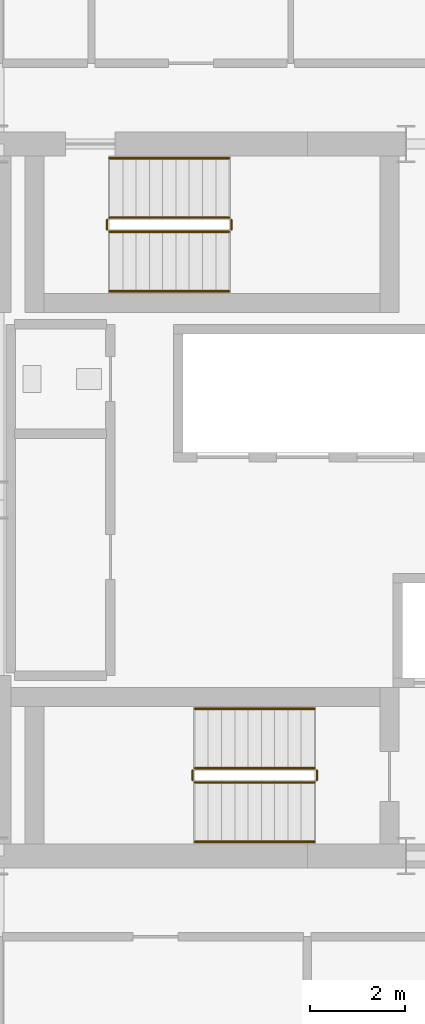
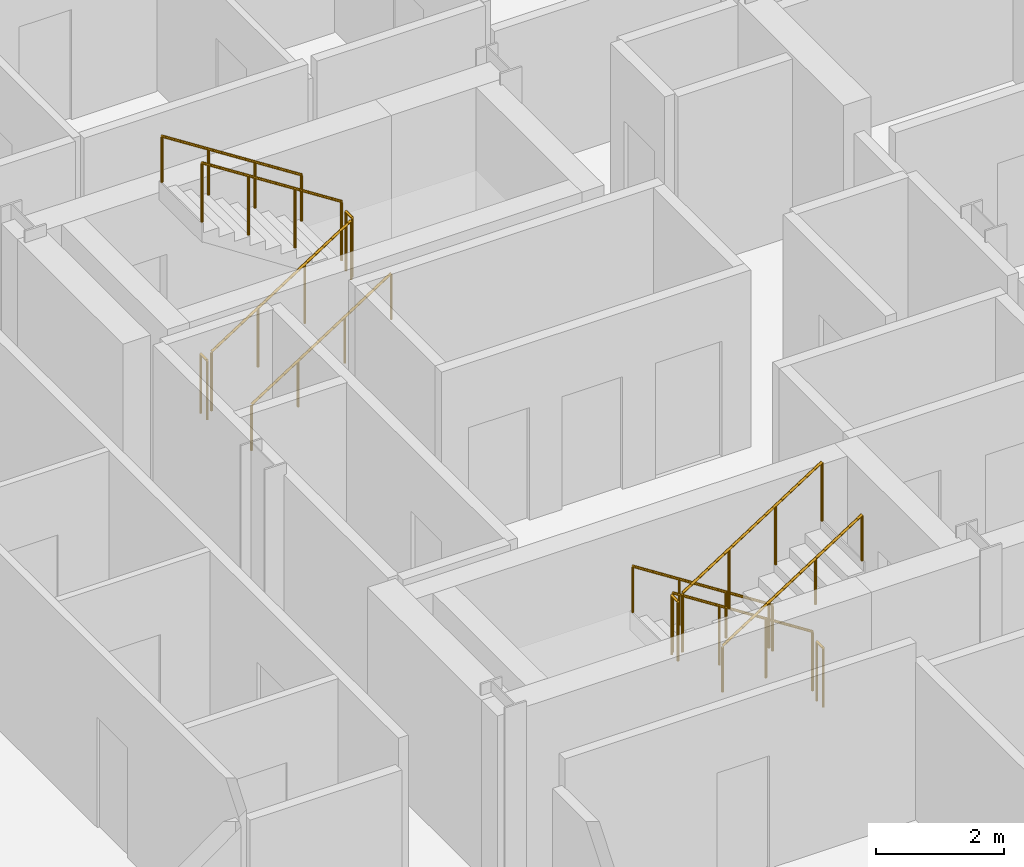
# One storey, part 20 of 21: 12 railings.
"""IFC4 building model written with IfcOpenShell, lengths in metres."""

from ifc_helpers import new_model, si_unit, direction, frame, origin, origin_2d, place, context, subcontext, project, spatial, circle, extrude, material, type_object, element, save


model = new_model("IFC4")

# Units and contexts
model_context = context("Model", 3, precision=1e-05, world=origin(), true_north=direction((0.0, 1.0)))
body_context = subcontext(model_context, "Body", "Model", "MODEL_VIEW")
ifc_project = project(units=[si_unit("LENGTHUNIT", "METRE"), si_unit("AREAUNIT", "SQUARE_METRE"), si_unit("VOLUMEUNIT", "CUBIC_METRE"), si_unit("PLANEANGLEUNIT", "RADIAN"), si_unit("MASSUNIT", "GRAM", prefix="KILO")], contexts=[model_context])

# Site, building, storey
site_placement = place(None, origin())
site = spatial("IfcSite", under=ifc_project, at=site_placement, CompositionType="ELEMENT")
building_placement = place(site_placement, origin())
building = spatial("IfcBuilding", under=site, at=building_placement, Name="Barlavira Tower and Art Museum", CompositionType="ELEMENT")
storey_placement = place(building_placement, frame((0.0, 0.0, 222.300048828125)))
storey = spatial("IfcBuildingStorey", under=building, at=storey_placement, Name="L57", CompositionType="ELEMENT", Elevation=222.300048828125)

# Railings
ifc_material = material(Name="Brushed stainless steel", Category="steel")
railing_type_1 = type_object("IfcRailingType", Name="Interior Void and Landing Guard Railing 1150", PredefinedType="GUARDRAIL", material=ifc_material)
railing_1_placement = place(storey_placement, frame((0.14990234375, -5.64990234375, 0.179931640625)))
element("IfcRailing", 1, at=railing_1_placement, inside=storey, type_object=railing_type_1, Name="L57 ST-T1 stair guard 1", PredefinedType="GUARDRAIL", context=body_context, shape_type="SweptSolid", body=[
    extrude(circle(Radius=0.02392578125, at=origin_2d()), frame((0.0, 0.0, 1.1259765625), z_axis=(-0.841162588446, 0.0, 0.540782303519), x_axis=(0.0, -1.0, 0.0)), (0.0, 0.0, 1.0), 2.995849609375),
    extrude(circle(Radius=0.02099609375, at=origin_2d()), origin(), (0.0, 0.0, 1.0), 1.101806640625),
    extrude(circle(Radius=0.02099609375, at=origin_2d()), frame((-0.840087890625, 0.0, 0.5400390625)), (0.0, 0.0, 1.0), 1.101806640625),
    extrude(circle(Radius=0.02099609375, at=origin_2d()), frame((-1.679931640625, 0.0, 1.080078125)), (0.0, 0.0, 1.0), 1.101806640625),
    extrude(circle(Radius=0.02099609375, at=origin_2d()), frame((-2.52001953125, 0.0, 1.6201171875)), (0.0, 0.0, 1.0), 1.101806640625),
])
railing_2_placement = place(storey_placement, frame((-2.419921875, -5.699951171875, 1.800048828125)))
element("IfcRailing", 2, at=railing_2_placement, inside=storey, type_object=railing_type_1, Name="L57 ST-T1 stair guard 2", PredefinedType="GUARDRAIL", context=body_context, shape_type="SweptSolid", body=[
    extrude(circle(Radius=0.02392578125, at=origin_2d()), frame((0.0, 0.0, 1.1259765625), z_axis=(0.0, -1.0, 0.0), x_axis=(1.0, 0.0, 0.0)), (0.0, 0.0, 1.0), 0.199951171875),
    extrude(circle(Radius=0.02099609375, at=origin_2d()), origin(), (0.0, 0.0, 1.0), 1.101806640625),
    extrude(circle(Radius=0.02099609375, at=origin_2d()), frame((0.0, -0.199951171875, 0.0)), (0.0, 0.0, 1.0), 1.101806640625),
])
railing_3_placement = place(storey_placement, frame((-2.3701171875, -5.949951171875, 1.97998046875)))
element("IfcRailing", 3, at=railing_3_placement, inside=storey, type_object=railing_type_1, Name="L57 ST-T1 stair guard 3", PredefinedType="GUARDRAIL", context=body_context, shape_type="SweptSolid", body=[
    extrude(circle(Radius=0.02392578125, at=origin_2d()), frame((0.0, 0.0, 1.1259765625), z_axis=(0.841199657755, 0.0, 0.540724639528), x_axis=(0.0, 1.0, 0.0)), (0.0, 0.0, 1.0), 2.995849609375),
    extrude(circle(Radius=0.02099609375, at=origin_2d()), origin(), (0.0, 0.0, 1.0), 1.101806640625),
    extrude(circle(Radius=0.02099609375, at=origin_2d()), frame((0.840087890625, 0.0, 0.5400390625)), (0.0, 0.0, 1.0), 1.101806640625),
    extrude(circle(Radius=0.02099609375, at=origin_2d()), frame((1.679931640625, 0.0, 1.079833984375)), (0.0, 0.0, 1.0), 1.101806640625),
    extrude(circle(Radius=0.02099609375, at=origin_2d()), frame((2.52001953125, 0.0, 1.619873046875)), (0.0, 0.0, 1.0), 1.101806640625),
])
railing_4_placement = place(storey_placement, frame((0.199951171875, -5.699951171875, 0.0)))
element("IfcRailing", 4, at=railing_4_placement, inside=storey, type_object=railing_type_1, Name="L57 ST-T1 stair guard 4", PredefinedType="GUARDRAIL", context=body_context, shape_type="SweptSolid", body=[
    extrude(circle(Radius=0.02392578125, at=origin_2d()), frame((0.0, 0.0, 1.1259765625), z_axis=(0.0, -1.0, 0.0), x_axis=(1.0, 0.0, 0.0)), (0.0, 0.0, 1.0), 0.199951171875),
    extrude(circle(Radius=0.02099609375, at=origin_2d()), origin(), (0.0, 0.0, 1.0), 1.101806640625),
    extrude(circle(Radius=0.02099609375, at=origin_2d()), frame((0.0, -0.199951171875, 0.0)), (0.0, 0.0, 1.0), 1.101806640625),
])
railing_5_placement = place(storey_placement, frame((-4.169921875, 5.64990234375, 0.179931640625)))
element("IfcRailing", 5, at=railing_5_placement, inside=storey, type_object=railing_type_1, Name="L57 ST-T2 stair guard 1", PredefinedType="GUARDRAIL", context=body_context, shape_type="SweptSolid", body=[
    extrude(circle(Radius=0.02392578125, at=origin_2d()), frame((0.0, 0.0, 1.1259765625), z_axis=(0.841162588446, 0.0, 0.540782303519), x_axis=(0.0, 1.0, 0.0)), (0.0, 0.0, 1.0), 2.995849609375),
    extrude(circle(Radius=0.02099609375, at=origin_2d()), origin(), (0.0, 0.0, 1.0), 1.101806640625),
    extrude(circle(Radius=0.02099609375, at=origin_2d()), frame((0.840087890625, 0.0, 0.5400390625)), (0.0, 0.0, 1.0), 1.101806640625),
    extrude(circle(Radius=0.02099609375, at=origin_2d()), frame((1.679931640625, 0.0, 1.080078125)), (0.0, 0.0, 1.0), 1.101806640625),
    extrude(circle(Radius=0.02099609375, at=origin_2d()), frame((2.52001953125, 0.0, 1.6201171875)), (0.0, 0.0, 1.0), 1.101806640625),
])
railing_6_placement = place(storey_placement, frame((-1.60009765625, 5.699951171875, 1.800048828125)))
element("IfcRailing", 6, at=railing_6_placement, inside=storey, type_object=railing_type_1, Name="L57 ST-T2 stair guard 2", PredefinedType="GUARDRAIL", context=body_context, shape_type="SweptSolid", body=[
    extrude(circle(Radius=0.02392578125, at=origin_2d()), frame((0.0, 0.0, 1.1259765625), z_axis=(0.0, 1.0, 0.0), x_axis=(-1.0, 0.0, 0.0)), (0.0, 0.0, 1.0), 0.199951171875),
    extrude(circle(Radius=0.02099609375, at=origin_2d()), origin(), (0.0, 0.0, 1.0), 1.101806640625),
    extrude(circle(Radius=0.02099609375, at=origin_2d()), frame((0.0, 0.199951171875, 0.0)), (0.0, 0.0, 1.0), 1.101806640625),
])
railing_7_placement = place(storey_placement, frame((-1.64990234375, 5.949951171875, 1.97998046875)))
element("IfcRailing", 7, at=railing_7_placement, inside=storey, type_object=railing_type_1, Name="L57 ST-T2 stair guard 3", PredefinedType="GUARDRAIL", context=body_context, shape_type="SweptSolid", body=[
    extrude(circle(Radius=0.02392578125, at=origin_2d()), frame((0.0, 0.0, 1.1259765625), z_axis=(-0.841199657755, 0.0, 0.540724639528), x_axis=(0.0, -1.0, 0.0)), (0.0, 0.0, 1.0), 2.995849609375),
    extrude(circle(Radius=0.02099609375, at=origin_2d()), origin(), (0.0, 0.0, 1.0), 1.101806640625),
    extrude(circle(Radius=0.02099609375, at=origin_2d()), frame((-0.840087890625, 0.0, 0.5400390625)), (0.0, 0.0, 1.0), 1.101806640625),
    extrude(circle(Radius=0.02099609375, at=origin_2d()), frame((-1.679931640625, 0.0, 1.079833984375)), (0.0, 0.0, 1.0), 1.101806640625),
    extrude(circle(Radius=0.02099609375, at=origin_2d()), frame((-2.52001953125, 0.0, 1.619873046875)), (0.0, 0.0, 1.0), 1.101806640625),
])
railing_8_placement = place(storey_placement, frame((-4.219970703125, 5.699951171875, 0.0)))
element("IfcRailing", 8, at=railing_8_placement, inside=storey, type_object=railing_type_1, Name="L57 ST-T2 stair guard 4", PredefinedType="GUARDRAIL", context=body_context, shape_type="SweptSolid", body=[
    extrude(circle(Radius=0.02392578125, at=origin_2d()), frame((0.0, 0.0, 1.1259765625), z_axis=(0.0, 1.0, 0.0), x_axis=(-1.0, 0.0, 0.0)), (0.0, 0.0, 1.0), 0.199951171875),
    extrude(circle(Radius=0.02099609375, at=origin_2d()), origin(), (0.0, 0.0, 1.0), 1.101806640625),
    extrude(circle(Radius=0.02099609375, at=origin_2d()), frame((0.0, 0.199951171875, 0.0)), (0.0, 0.0, 1.0), 1.101806640625),
])
railing_type_2 = type_object("IfcRailingType", Name="Stair Pitch Tubular Steel Handrail 920", PredefinedType="HANDRAIL", material=ifc_material)
railing_9_placement = place(storey_placement, frame((0.14990234375, -4.39990234375, 0.179931640625)))
element("IfcRailing", 9, at=railing_9_placement, inside=storey, type_object=railing_type_2, Name="L57 ST-T1 stair handrail 1", PredefinedType="HANDRAIL", context=body_context, shape_type="SweptSolid", body=[
    extrude(circle(Radius=0.02392578125, at=origin_2d()), frame((0.0, 0.0, 0.8759765625), z_axis=(-0.841162588446, 0.0, 0.540782303519), x_axis=(0.0, -1.0, 0.0)), (0.0, 0.0, 1.0), 2.995849609375),
    extrude(circle(Radius=0.02099609375, at=origin_2d()), origin(), (0.0, 0.0, 1.0), 0.851806640625),
    extrude(circle(Radius=0.02099609375, at=origin_2d()), frame((-0.840087890625, 0.0, 0.5400390625)), (0.0, 0.0, 1.0), 0.851806640625),
    extrude(circle(Radius=0.02099609375, at=origin_2d()), frame((-1.679931640625, 0.0, 1.080078125)), (0.0, 0.0, 1.0), 0.851806640625),
    extrude(circle(Radius=0.02099609375, at=origin_2d()), frame((-2.52001953125, 0.0, 1.6201171875)), (0.0, 0.0, 1.0), 0.851806640625),
])
railing_10_placement = place(storey_placement, frame((-2.3701171875, -7.199951171875, 1.97998046875)))
element("IfcRailing", 10, at=railing_10_placement, inside=storey, type_object=railing_type_2, Name="L57 ST-T1 stair handrail 2", PredefinedType="HANDRAIL", context=body_context, shape_type="SweptSolid", body=[
    extrude(circle(Radius=0.02392578125, at=origin_2d()), frame((0.0, 0.0, 0.8759765625), z_axis=(0.841199657755, 0.0, 0.540724639528), x_axis=(0.0, 1.0, 0.0)), (0.0, 0.0, 1.0), 2.995849609375),
    extrude(circle(Radius=0.02099609375, at=origin_2d()), origin(), (0.0, 0.0, 1.0), 0.851806640625),
    extrude(circle(Radius=0.02099609375, at=origin_2d()), frame((0.840087890625, 0.0, 0.5400390625)), (0.0, 0.0, 1.0), 0.851806640625),
    extrude(circle(Radius=0.02099609375, at=origin_2d()), frame((1.679931640625, 0.0, 1.079833984375)), (0.0, 0.0, 1.0), 0.851806640625),
    extrude(circle(Radius=0.02099609375, at=origin_2d()), frame((2.52001953125, 0.0, 1.619873046875)), (0.0, 0.0, 1.0), 0.851806640625),
])
railing_11_placement = place(storey_placement, frame((-4.169921875, 4.39990234375, 0.179931640625)))
element("IfcRailing", 11, at=railing_11_placement, inside=storey, type_object=railing_type_2, Name="L57 ST-T2 stair handrail 1", PredefinedType="HANDRAIL", context=body_context, shape_type="SweptSolid", body=[
    extrude(circle(Radius=0.02392578125, at=origin_2d()), frame((0.0, 0.0, 0.8759765625), z_axis=(0.841162588446, 0.0, 0.540782303519), x_axis=(0.0, 1.0, 0.0)), (0.0, 0.0, 1.0), 2.995849609375),
    extrude(circle(Radius=0.02099609375, at=origin_2d()), origin(), (0.0, 0.0, 1.0), 0.851806640625),
    extrude(circle(Radius=0.02099609375, at=origin_2d()), frame((0.840087890625, 0.0, 0.5400390625)), (0.0, 0.0, 1.0), 0.851806640625),
    extrude(circle(Radius=0.02099609375, at=origin_2d()), frame((1.679931640625, 0.0, 1.080078125)), (0.0, 0.0, 1.0), 0.851806640625),
    extrude(circle(Radius=0.02099609375, at=origin_2d()), frame((2.52001953125, 0.0, 1.6201171875)), (0.0, 0.0, 1.0), 0.851806640625),
])
railing_12_placement = place(storey_placement, frame((-1.64990234375, 7.199951171875, 1.97998046875)))
element("IfcRailing", 12, at=railing_12_placement, inside=storey, type_object=railing_type_2, Name="L57 ST-T2 stair handrail 2", PredefinedType="HANDRAIL", context=body_context, shape_type="SweptSolid", body=[
    extrude(circle(Radius=0.02392578125, at=origin_2d()), frame((0.0, 0.0, 0.8759765625), z_axis=(-0.841199657755, 0.0, 0.540724639528), x_axis=(0.0, -1.0, 0.0)), (0.0, 0.0, 1.0), 2.995849609375),
    extrude(circle(Radius=0.02099609375, at=origin_2d()), origin(), (0.0, 0.0, 1.0), 0.851806640625),
    extrude(circle(Radius=0.02099609375, at=origin_2d()), frame((-0.840087890625, 0.0, 0.5400390625)), (0.0, 0.0, 1.0), 0.851806640625),
    extrude(circle(Radius=0.02099609375, at=origin_2d()), frame((-1.679931640625, 0.0, 1.079833984375)), (0.0, 0.0, 1.0), 0.851806640625),
    extrude(circle(Radius=0.02099609375, at=origin_2d()), frame((-2.52001953125, 0.0, 1.619873046875)), (0.0, 0.0, 1.0), 0.851806640625),
])

save(model, "model.ifc")
